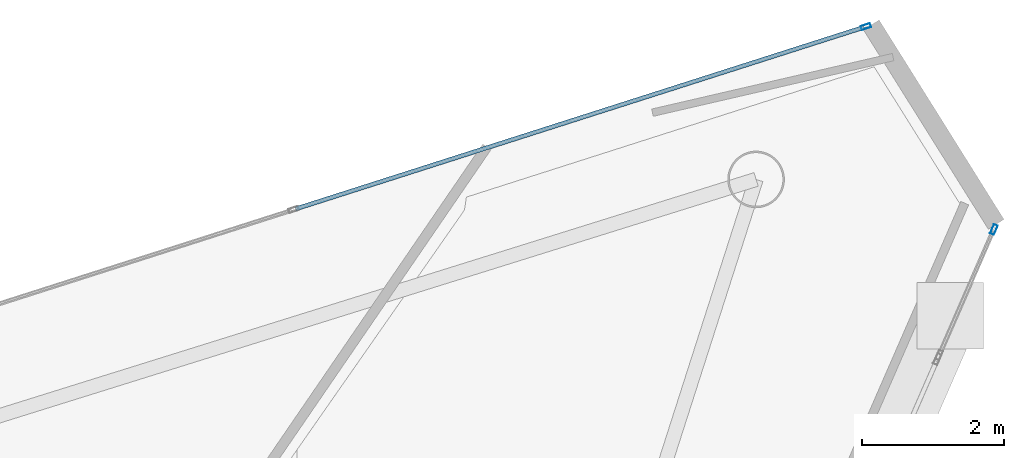
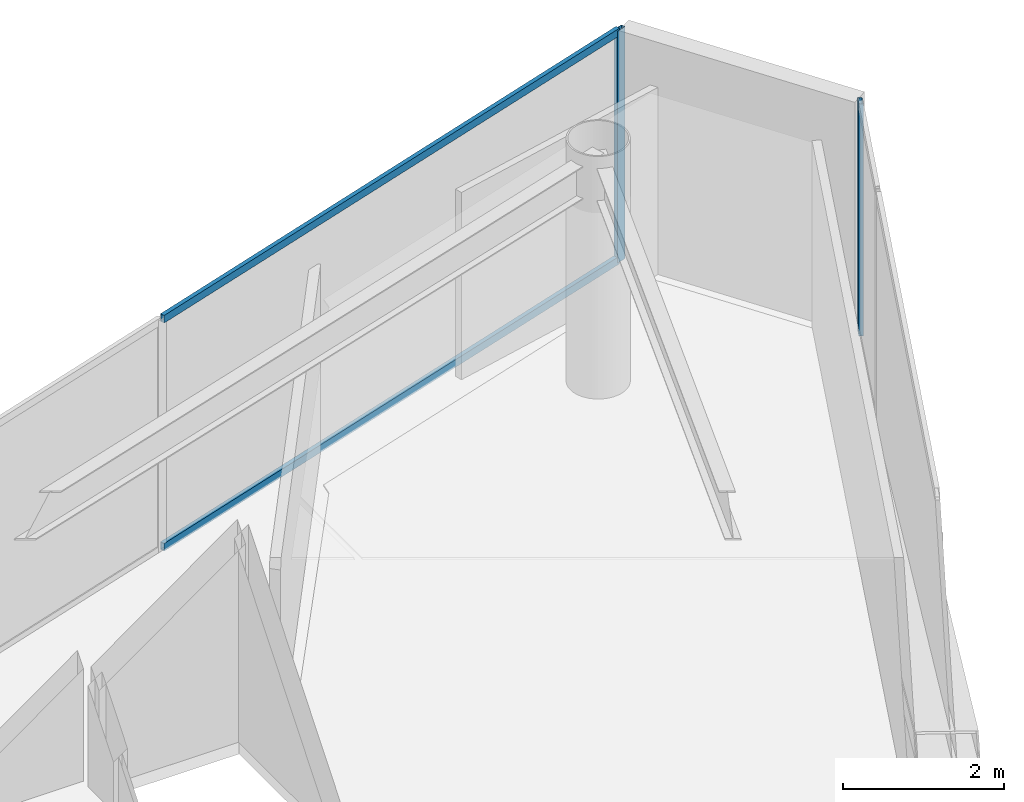
# One storey, part 14 of 19: 4 members, 2 elements without a shape of their own.
"""IFC4 building model written with IfcOpenShell, lengths in metres."""

from ifc_helpers import new_model, si_unit, direction, frame, origin, origin_2d, place, context, subcontext, project, spatial, hollow_rectangle, extrude, material, layer, layer_set, material_profile, profile_set, type_object, element, aggregate, save


model = new_model("IFC4")

# Units and contexts
model_context = context("Model", 3, precision=1e-05, world=origin(), true_north=direction((0.0, 1.0)))
body_context = subcontext(model_context, "Body", "Model", "MODEL_VIEW")
ifc_project = project(units=[si_unit("LENGTHUNIT", "METRE"), si_unit("AREAUNIT", "SQUARE_METRE"), si_unit("VOLUMEUNIT", "CUBIC_METRE"), si_unit("PLANEANGLEUNIT", "RADIAN"), si_unit("MASSUNIT", "GRAM", prefix="KILO")], contexts=[model_context])

# Site, building, storey
site_placement = place(None, origin())
site = spatial("IfcSite", under=ifc_project, at=site_placement, CompositionType="ELEMENT")
building_placement = place(site_placement, origin())
building = spatial("IfcBuilding", under=site, at=building_placement, Name="Qianvela Tower", CompositionType="ELEMENT")
storey_placement = place(building_placement, frame((0.0, 0.0, 329.60009765625)))
storey = spatial("IfcBuildingStorey", under=building, at=storey_placement, Name="L85", CompositionType="ELEMENT", Elevation=329.60009765625)

# Curtain wall, member
ifc_material_1 = material(Name="Anodised Architectural Aluminium and Low-E Glass", Category="aluminium")
ifc_layer = layer(ifc_material_1, 0.14990234375)
ifc_layer_set = layer_set([ifc_layer], Name="Anodised Architectural Aluminium and Low-E Glass")
curtain_wall_type = type_object("IfcCurtainWallType", Name="CW-COLIV-Z78", PredefinedType="USERDEFINED", material=ifc_layer_set)
curtain_wall_1_placement = place(storey_placement, origin())
curtain_wall_1 = element("IfcCurtainWall", 1, at=curtain_wall_1_placement, inside=storey, type_object=curtain_wall_type, Name="L85 CW-COLIV-Z78 Curtain Wall 02A", ObjectType="CURTAIN_WALL_SYSTEM", PredefinedType="USERDEFINED")
ifc_material_2 = material(Name="Anodised Architectural Aluminium 6063-T6", Category="aluminium")
ifc_material_profile_1 = material_profile(ifc_material_2, hollow_rectangle(XDim=0.06005859375, YDim=0.139892578125, WallThickness=0.00439453125, at=origin_2d()), Name="ALU-MULL-60x140")
ifc_profile_set_1 = profile_set([ifc_material_profile_1], Name="Anodised Architectural Aluminium 6063-T6")
member_type_1 = type_object("IfcMemberType", Name="CW-COLIV-Z78-MULL", PredefinedType="MULLION", material=ifc_profile_set_1)
member_1_placement = place(storey_placement, frame((52.776123046875, 41.86376953125, 0.0), z_axis=(0.0, 0.0, 1.0), x_axis=(0.304484115934, -0.952517413565, 0.0)))
member_1 = element("IfcMember", 2, at=member_1_placement, type_object=member_type_1, Name="CW-6 mullion 1", PredefinedType="MULLION", context=body_context, shape_type="SweptSolid", body=[
    extrude(hollow_rectangle(XDim=0.06005859375, YDim=0.139892578125, WallThickness=0.00439453125, at=origin_2d()), origin(), (0.0, 0.0, 1.0), 3.52001953125),
])

curtain_wall_2_placement = place(storey_placement, origin())
curtain_wall_2 = element("IfcCurtainWall", 3, at=curtain_wall_2_placement, inside=storey, type_object=curtain_wall_type, Name="L85 CW-COLIV-Z78 Curtain Wall 06C", ObjectType="CURTAIN_WALL_SYSTEM", PredefinedType="USERDEFINED")
member_2_placement = place(storey_placement, frame((54.58203125, 39.001220703125, 0.0), z_axis=(0.0, 0.0, 1.0), x_axis=(-0.916601226241, 0.399802691404, 0.0)))
member_2 = element("IfcMember", 4, at=member_2_placement, type_object=member_type_1, Name="CW-6 mullion 2", PredefinedType="MULLION", context=body_context, shape_type="SweptSolid", body=[
    extrude(hollow_rectangle(XDim=0.06005859375, YDim=0.139892578125, WallThickness=0.00439453125, at=origin_2d()), origin(), (0.0, 0.0, 1.0), 3.52001953125),
])
aggregate(curtain_wall_2, [member_2])

# Member
ifc_material_3 = material(Name="Anodised Architectural Aluminium 6063-T6", Category="aluminium")
ifc_material_profile_2 = material_profile(ifc_material_3, hollow_rectangle(XDim=0.06005859375, YDim=0.114990234375, WallThickness=0.00390625, at=origin_2d()), Name="ALU-TRAN-60x115")
ifc_profile_set_2 = profile_set([ifc_material_profile_2], Name="Anodised Architectural Aluminium 6063-T6")
member_type_2 = type_object("IfcMemberType", Name="CW-COLIV-Z78-TRAN", PredefinedType="USERDEFINED", material=ifc_profile_set_2)
member_3_placement = place(storey_placement, frame((52.74755859375, 41.8544921875, 0.02978515625), z_axis=(-0.952518758383, -0.304479908907, 0.0), x_axis=(0.304479908907, -0.952518758383, 0.0)))
member_3 = element("IfcMember", 5, at=member_3_placement, type_object=member_type_2, Name="CW-6 transom 1.1", ObjectType="TRANSOM", PredefinedType="USERDEFINED", context=body_context, shape_type="SweptSolid", body=[
    extrude(hollow_rectangle(XDim=0.06005859375, YDim=0.114990234375, WallThickness=0.00390625, at=origin_2d()), origin(), (0.0, 0.0, 1.0), 8.415283203125),
])

member_4_placement = place(storey_placement, frame((52.74755859375, 41.8544921875, 3.489990234375), z_axis=(-0.952518758383, -0.304479908907, 0.0), x_axis=(0.304479908907, -0.952518758383, 0.0)))
member_4 = element("IfcMember", 6, at=member_4_placement, type_object=member_type_2, Name="CW-6 transom 1.2", ObjectType="TRANSOM", PredefinedType="USERDEFINED", context=body_context, shape_type="SweptSolid", body=[
    extrude(hollow_rectangle(XDim=0.06005859375, YDim=0.114990234375, WallThickness=0.00390625, at=origin_2d()), origin(), (0.0, 0.0, 1.0), 8.415283203125),
])

aggregate(curtain_wall_1, [member_1, member_3, member_4])

save(model, "model.ifc")
